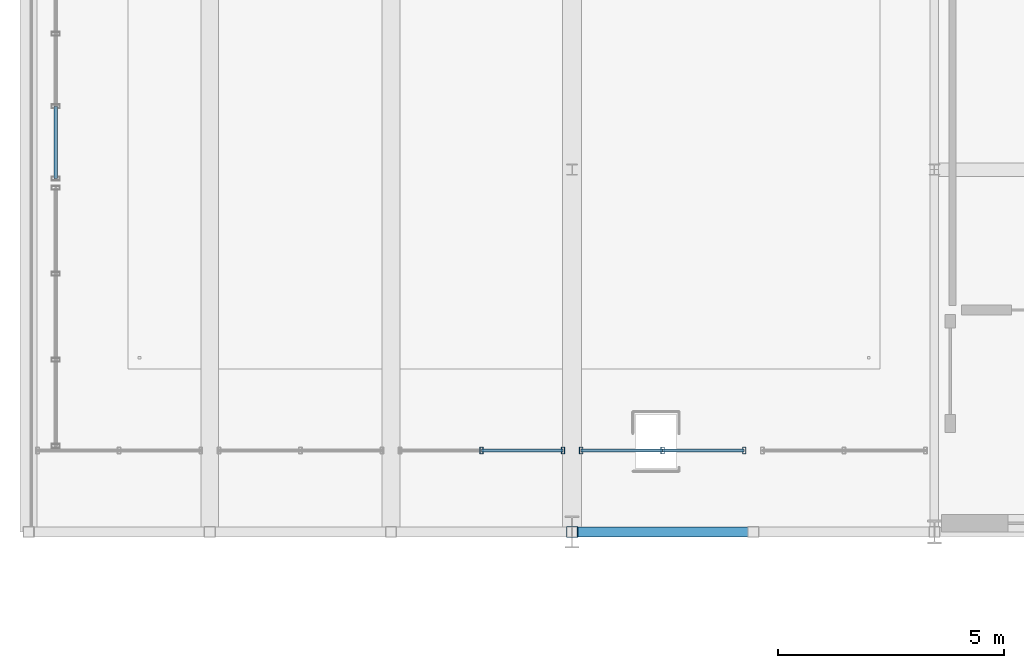
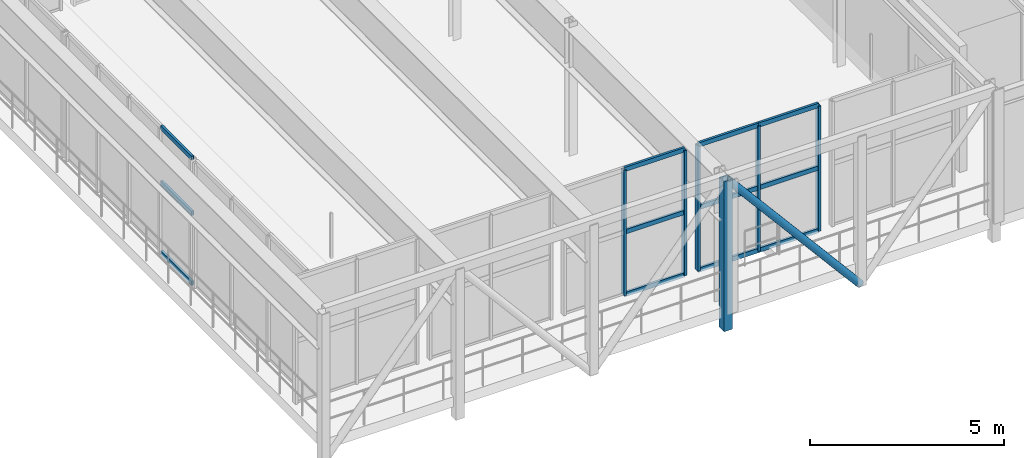
# One storey, part 21 of 124: 19 members, 3 elements without a shape of their own.
"""IFC4 building model written with IfcOpenShell, lengths in metres."""

from ifc_helpers import new_model, si_unit, direction, frame, origin, origin_2d, place, context, subcontext, project, spatial, hollow_rectangle, hollow_circle, extrude, material, material_profile, profile_set, type_object, element, aggregate, save


model = new_model("IFC4")

# Units and contexts
model_context = context("Model", 3, precision=1e-05, world=origin(), true_north=direction((0.0, 1.0)))
body_context = subcontext(model_context, "Body", "Model", "MODEL_VIEW")
ifc_project = project(units=[si_unit("LENGTHUNIT", "METRE"), si_unit("AREAUNIT", "SQUARE_METRE"), si_unit("VOLUMEUNIT", "CUBIC_METRE"), si_unit("PLANEANGLEUNIT", "RADIAN"), si_unit("MASSUNIT", "GRAM", prefix="KILO")], contexts=[model_context])

# Site, building, storey
site_placement = place(None, origin())
site = spatial("IfcSite", under=ifc_project, at=site_placement, CompositionType="ELEMENT")
building_placement = place(site_placement, origin())
building = spatial("IfcBuilding", under=site, at=building_placement, Name="Sundkrona Museum", CompositionType="ELEMENT")
storey_placement = place(building_placement, frame((0.0, 0.0, 17.60009765625)))
storey = spatial("IfcBuildingStorey", under=building, at=storey_placement, Name="L03", CompositionType="ELEMENT", Elevation=17.60009765625)

# Curtain wall, members
ifc_material_1 = material(Name="Unitised Aluminium-Steel and Ceramic-Clad Curtain Walling", Category="steel")
curtain_wall_type_1 = type_object("IfcCurtainWallType", Name="CW-CV-36x38", PredefinedType="NOTDEFINED", material=ifc_material_1)
curtain_wall_1_placement = place(storey_placement, origin())
curtain_wall_1 = element("IfcCurtainWall", 1, at=curtain_wall_1_placement, inside=storey, type_object=curtain_wall_type_1, Name="L03 Curtain Wall CW-L03-156", PredefinedType="NOTDEFINED")
ifc_material_2 = material(Name="Aluminium EN AW-6060 T66", Category="aluminium")
ifc_material_profile_1 = material_profile(ifc_material_2, hollow_rectangle(XDim=0.074951171875, YDim=0.14990234375, WallThickness=0.00634765625, at=origin_2d()), Name="RHS 150x75x6.3")
ifc_profile_set_1 = profile_set([ifc_material_profile_1], Name="Aluminium EN AW-6060 T66")
member_type_1 = type_object("IfcMemberType", Name="ML-150", PredefinedType="MULLION", material=ifc_profile_set_1)
member_1_placement = place(storey_placement, frame((14.0, 33.800048828125, -0.004150390625), z_axis=(0.0, 0.0, 1.0), x_axis=(1.0, 0.0, 0.0)))
member_1 = element("IfcMember", 2, at=member_1_placement, type_object=member_type_1, Name="CW-L03-156 Mullion 02", PredefinedType="MULLION", context=body_context, shape_type="SweptSolid", body=[
    extrude(hollow_rectangle(XDim=0.074951171875, YDim=0.14990234375, WallThickness=0.00634765625, at=origin_2d()), origin(), (0.0, 0.0, 1.0), 3.947998046875),
])
member_2_placement = place(storey_placement, frame((15.800048828125, 33.800048828125, -0.004150390625), z_axis=(0.0, 0.0, 1.0), x_axis=(1.0, 0.0, 0.0)))
member_2 = element("IfcMember", 3, at=member_2_placement, type_object=member_type_1, Name="CW-L03-156 Mullion 03", PredefinedType="MULLION", context=body_context, shape_type="SweptSolid", body=[
    extrude(hollow_rectangle(XDim=0.074951171875, YDim=0.14990234375, WallThickness=0.00634765625, at=origin_2d()), origin(), (0.0, 0.0, 1.0), 3.947998046875),
])

curtain_wall_2_placement = place(storey_placement, origin())
curtain_wall_2 = element("IfcCurtainWall", 4, at=curtain_wall_2_placement, inside=storey, type_object=curtain_wall_type_1, Name="L03 Curtain Wall CW-L03-158", PredefinedType="NOTDEFINED")
member_3_placement = place(storey_placement, frame((16.199951171875, 33.800048828125, -0.004150390625), z_axis=(0.0, 0.0, 1.0), x_axis=(1.0, 0.0, 0.0)))
member_3 = element("IfcMember", 5, at=member_3_placement, type_object=member_type_1, Name="CW-L03-158 Mullion 01", PredefinedType="MULLION", context=body_context, shape_type="SweptSolid", body=[
    extrude(hollow_rectangle(XDim=0.074951171875, YDim=0.14990234375, WallThickness=0.00634765625, at=origin_2d()), origin(), (0.0, 0.0, 1.0), 3.947998046875),
])
member_4_placement = place(storey_placement, frame((18.0, 33.800048828125, -0.004150390625), z_axis=(0.0, 0.0, 1.0), x_axis=(1.0, 0.0, 0.0)))
member_4 = element("IfcMember", 6, at=member_4_placement, type_object=member_type_1, Name="CW-L03-158 Mullion 02", PredefinedType="MULLION", context=body_context, shape_type="SweptSolid", body=[
    extrude(hollow_rectangle(XDim=0.074951171875, YDim=0.14990234375, WallThickness=0.00634765625, at=origin_2d()), origin(), (0.0, 0.0, 1.0), 3.947998046875),
])
member_5_placement = place(storey_placement, frame((19.800048828125, 33.800048828125, -0.004150390625), z_axis=(0.0, 0.0, 1.0), x_axis=(1.0, 0.0, 0.0)))
member_5 = element("IfcMember", 7, at=member_5_placement, type_object=member_type_1, Name="CW-L03-158 Mullion 03", PredefinedType="MULLION", context=body_context, shape_type="SweptSolid", body=[
    extrude(hollow_rectangle(XDim=0.074951171875, YDim=0.14990234375, WallThickness=0.00634765625, at=origin_2d()), origin(), (0.0, 0.0, 1.0), 3.947998046875),
])

# Members
ifc_material_3 = material(Name="Steel S355J2", Category="steel")
ifc_material_profile_2 = material_profile(ifc_material_3, hollow_circle(Radius=0.109619140625, WallThickness=0.010009765625, at=origin_2d()), Name="CHS 219.1x10.0")
ifc_profile_set_2 = profile_set([ifc_material_profile_2], Name="Steel S355J2")
member_type_2 = type_object("IfcMemberType", Name="ST-CHS219", PredefinedType="STRUT", material=ifc_profile_set_2)
member_6_placement = place(storey_placement, frame((16.0, 32.0, 4.0498046875), z_axis=(0.645726672694, 0.0, -0.763568637499), x_axis=(0.0, 1.0, 0.0)))
element("IfcMember", 8, at=member_6_placement, inside=storey, type_object=member_type_2, Name="TRS-1 Cantilever Upper Pavilion S Diagonal 4", PredefinedType="STRUT", context=body_context, shape_type="SweptSolid", body=[
    extrude(hollow_circle(Radius=0.109619140625, WallThickness=0.010009765625, at=origin_2d()), origin(), (0.0, 0.0, 1.0), 6.194580078125),
])
ifc_material_4 = material(Name="Steel S460M", Category="steel")
ifc_material_profile_3 = material_profile(ifc_material_4, hollow_rectangle(XDim=0.25, YDim=0.25, WallThickness=0.012451171875, at=origin_2d()), Name="SHS 250x250x12.5")
ifc_profile_set_3 = profile_set([ifc_material_profile_3], Name="Steel S460M")
member_type_3 = type_object("IfcMemberType", Name="ST-SHS250", PredefinedType="STRUT", material=ifc_profile_set_3)
member_7_placement = place(storey_placement, frame((16.0, 32.0, -0.68017578125), z_axis=(0.0, 0.0, 1.0), x_axis=(1.0, 0.0, 0.0)))
element("IfcMember", 9, at=member_7_placement, inside=storey, type_object=member_type_3, Name="TRS-1 Cantilever Upper Pavilion Post S-4", PredefinedType="STRUT", context=body_context, shape_type="SweptSolid", body=[
    extrude(hollow_rectangle(XDim=0.25, YDim=0.25, WallThickness=0.012451171875, at=origin_2d()), origin(), (0.0, 0.0, 1.0), 4.72998046875),
])

# Member
ifc_material_profile_4 = material_profile(ifc_material_2, hollow_rectangle(XDim=0.070068359375, YDim=0.139892578125, WallThickness=0.0048828125, at=origin_2d()), Name="RHS 140x70x5.0")
ifc_profile_set_4 = profile_set([ifc_material_profile_4], Name="Aluminium EN AW-6060 T66")
member_type_4 = type_object("IfcMemberType", Name="TR-140", PredefinedType="USERDEFINED", material=ifc_profile_set_4)
member_8_placement = place(storey_placement, frame((14.0, 33.800048828125, -0.004150390625), z_axis=(1.0, 0.0, 0.0), x_axis=(0.0, 1.0, 0.0)))
member_8 = element("IfcMember", 10, at=member_8_placement, type_object=member_type_4, Name="CW-L03-156 Transom 04", ObjectType="TRANSOM", PredefinedType="USERDEFINED", context=body_context, shape_type="SweptSolid", body=[
    extrude(hollow_rectangle(XDim=0.070068359375, YDim=0.139892578125, WallThickness=0.0048828125, at=origin_2d()), origin(), (0.0, 0.0, 1.0), 1.800048828125),
])

member_9_placement = place(storey_placement, frame((14.0, 33.800048828125, 1.969970703125), z_axis=(1.0, 0.0, 0.0), x_axis=(0.0, 1.0, 0.0)))
member_9 = element("IfcMember", 11, at=member_9_placement, type_object=member_type_4, Name="CW-L03-156 Transom 05", ObjectType="TRANSOM", PredefinedType="USERDEFINED", context=body_context, shape_type="SweptSolid", body=[
    extrude(hollow_rectangle(XDim=0.070068359375, YDim=0.139892578125, WallThickness=0.0048828125, at=origin_2d()), origin(), (0.0, 0.0, 1.0), 1.800048828125),
])

member_10_placement = place(storey_placement, frame((14.0, 33.800048828125, 3.94384765625), z_axis=(1.0, 0.0, 0.0), x_axis=(0.0, 1.0, 0.0)))
member_10 = element("IfcMember", 12, at=member_10_placement, type_object=member_type_4, Name="CW-L03-156 Transom 06", ObjectType="TRANSOM", PredefinedType="USERDEFINED", context=body_context, shape_type="SweptSolid", body=[
    extrude(hollow_rectangle(XDim=0.070068359375, YDim=0.139892578125, WallThickness=0.0048828125, at=origin_2d()), origin(), (0.0, 0.0, 1.0), 1.800048828125),
])

aggregate(curtain_wall_1, [member_1, member_2, member_8, member_9, member_10])

member_11_placement = place(storey_placement, frame((16.199951171875, 33.800048828125, -0.004150390625), z_axis=(1.0, 0.0, 0.0), x_axis=(0.0, 1.0, 0.0)))
member_11 = element("IfcMember", 13, at=member_11_placement, type_object=member_type_4, Name="CW-L03-158 Transom 01", ObjectType="TRANSOM", PredefinedType="USERDEFINED", context=body_context, shape_type="SweptSolid", body=[
    extrude(hollow_rectangle(XDim=0.070068359375, YDim=0.139892578125, WallThickness=0.0048828125, at=origin_2d()), origin(), (0.0, 0.0, 1.0), 1.800048828125),
])

member_12_placement = place(storey_placement, frame((16.199951171875, 33.800048828125, 1.969970703125), z_axis=(1.0, 0.0, 0.0), x_axis=(0.0, 1.0, 0.0)))
member_12 = element("IfcMember", 14, at=member_12_placement, type_object=member_type_4, Name="CW-L03-158 Transom 02", ObjectType="TRANSOM", PredefinedType="USERDEFINED", context=body_context, shape_type="SweptSolid", body=[
    extrude(hollow_rectangle(XDim=0.070068359375, YDim=0.139892578125, WallThickness=0.0048828125, at=origin_2d()), origin(), (0.0, 0.0, 1.0), 1.800048828125),
])

member_13_placement = place(storey_placement, frame((16.199951171875, 33.800048828125, 3.94384765625), z_axis=(1.0, 0.0, 0.0), x_axis=(0.0, 1.0, 0.0)))
member_13 = element("IfcMember", 15, at=member_13_placement, type_object=member_type_4, Name="CW-L03-158 Transom 03", ObjectType="TRANSOM", PredefinedType="USERDEFINED", context=body_context, shape_type="SweptSolid", body=[
    extrude(hollow_rectangle(XDim=0.070068359375, YDim=0.139892578125, WallThickness=0.0048828125, at=origin_2d()), origin(), (0.0, 0.0, 1.0), 1.800048828125),
])

member_14_placement = place(storey_placement, frame((18.0, 33.800048828125, -0.004150390625), z_axis=(1.0, 0.0, 0.0), x_axis=(0.0, 1.0, 0.0)))
member_14 = element("IfcMember", 16, at=member_14_placement, type_object=member_type_4, Name="CW-L03-158 Transom 04", ObjectType="TRANSOM", PredefinedType="USERDEFINED", context=body_context, shape_type="SweptSolid", body=[
    extrude(hollow_rectangle(XDim=0.070068359375, YDim=0.139892578125, WallThickness=0.0048828125, at=origin_2d()), origin(), (0.0, 0.0, 1.0), 1.800048828125),
])

member_15_placement = place(storey_placement, frame((18.0, 33.800048828125, 1.969970703125), z_axis=(1.0, 0.0, 0.0), x_axis=(0.0, 1.0, 0.0)))
member_15 = element("IfcMember", 17, at=member_15_placement, type_object=member_type_4, Name="CW-L03-158 Transom 05", ObjectType="TRANSOM", PredefinedType="USERDEFINED", context=body_context, shape_type="SweptSolid", body=[
    extrude(hollow_rectangle(XDim=0.070068359375, YDim=0.139892578125, WallThickness=0.0048828125, at=origin_2d()), origin(), (0.0, 0.0, 1.0), 1.800048828125),
])

member_16_placement = place(storey_placement, frame((18.0, 33.800048828125, 3.94384765625), z_axis=(1.0, 0.0, 0.0), x_axis=(0.0, 1.0, 0.0)))
member_16 = element("IfcMember", 18, at=member_16_placement, type_object=member_type_4, Name="CW-L03-158 Transom 06", ObjectType="TRANSOM", PredefinedType="USERDEFINED", context=body_context, shape_type="SweptSolid", body=[
    extrude(hollow_rectangle(XDim=0.070068359375, YDim=0.139892578125, WallThickness=0.0048828125, at=origin_2d()), origin(), (0.0, 0.0, 1.0), 1.800048828125),
])

aggregate(curtain_wall_2, [member_3, member_4, member_5, member_11, member_12, member_13, member_14, member_15, member_16])

# Curtain wall, members
curtain_wall_type_2 = type_object("IfcCurtainWallType", Name="CW-CV-68x38", PredefinedType="NOTDEFINED", material=ifc_material_1)
curtain_wall_3_placement = place(storey_placement, origin())
curtain_wall_3 = element("IfcCurtainWall", 19, at=curtain_wall_3_placement, inside=storey, type_object=curtain_wall_type_2, Name="L03 Curtain Wall CW-CV-TIP-L03-39", PredefinedType="NOTDEFINED")
member_17_placement = place(storey_placement, frame((4.60009765625, 39.800048828125, -0.004150390625), z_axis=(0.0, 1.0, 0.0), x_axis=(-1.0, 0.0, 0.0)))
member_17 = element("IfcMember", 20, at=member_17_placement, type_object=member_type_4, Name="CW-CV-TIP-L03-39 Transom 01", ObjectType="TRANSOM", PredefinedType="USERDEFINED", context=body_context, shape_type="SweptSolid", body=[
    extrude(hollow_rectangle(XDim=0.070068359375, YDim=0.139892578125, WallThickness=0.0048828125, at=origin_2d()), origin(), (0.0, 0.0, 1.0), 1.599853515625),
])
member_18_placement = place(storey_placement, frame((4.60009765625, 39.800048828125, 2.199951171875), z_axis=(0.0, 1.0, 0.0), x_axis=(-1.0, 0.0, 0.0)))
member_18 = element("IfcMember", 21, at=member_18_placement, type_object=member_type_4, Name="CW-CV-TIP-L03-39 Transom 02", ObjectType="TRANSOM", PredefinedType="USERDEFINED", context=body_context, shape_type="SweptSolid", body=[
    extrude(hollow_rectangle(XDim=0.070068359375, YDim=0.139892578125, WallThickness=0.0048828125, at=origin_2d()), origin(), (0.0, 0.0, 1.0), 1.599853515625),
])
member_19_placement = place(storey_placement, frame((4.60009765625, 39.800048828125, 3.94384765625), z_axis=(0.0, 1.0, 0.0), x_axis=(-1.0, 0.0, 0.0)))
member_19 = element("IfcMember", 22, at=member_19_placement, type_object=member_type_4, Name="CW-CV-TIP-L03-39 Transom 03", ObjectType="TRANSOM", PredefinedType="USERDEFINED", context=body_context, shape_type="SweptSolid", body=[
    extrude(hollow_rectangle(XDim=0.070068359375, YDim=0.139892578125, WallThickness=0.0048828125, at=origin_2d()), origin(), (0.0, 0.0, 1.0), 1.599853515625),
])
aggregate(curtain_wall_3, [member_17, member_18, member_19])

save(model, "model.ifc")
